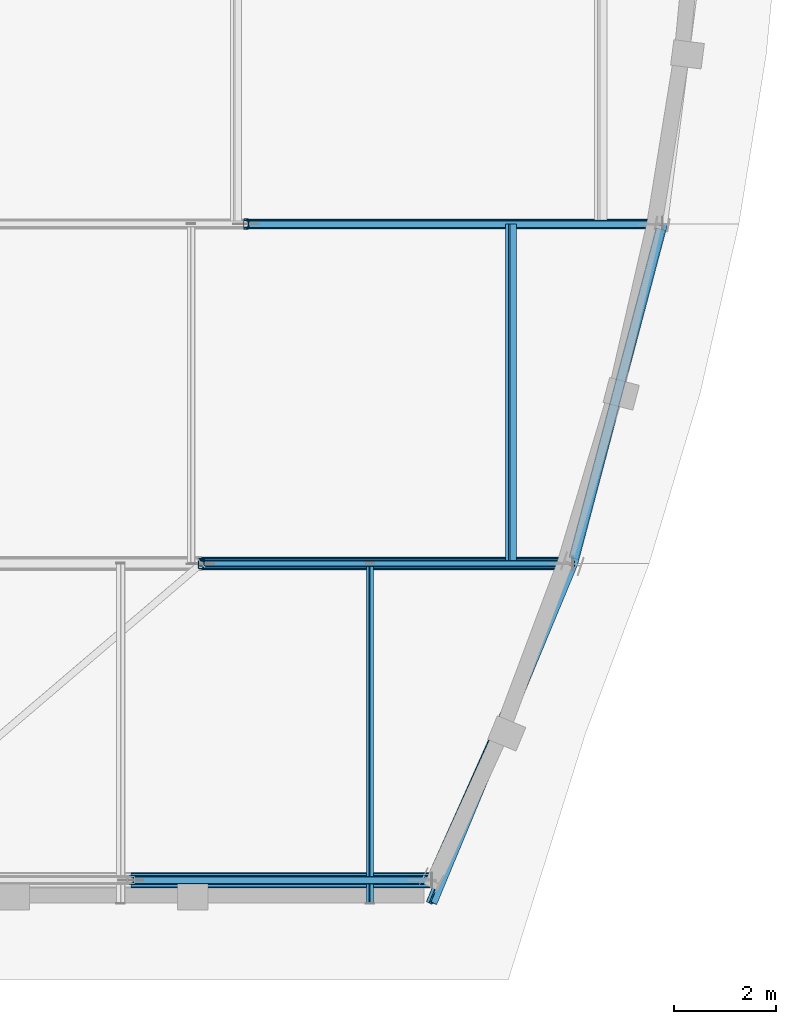
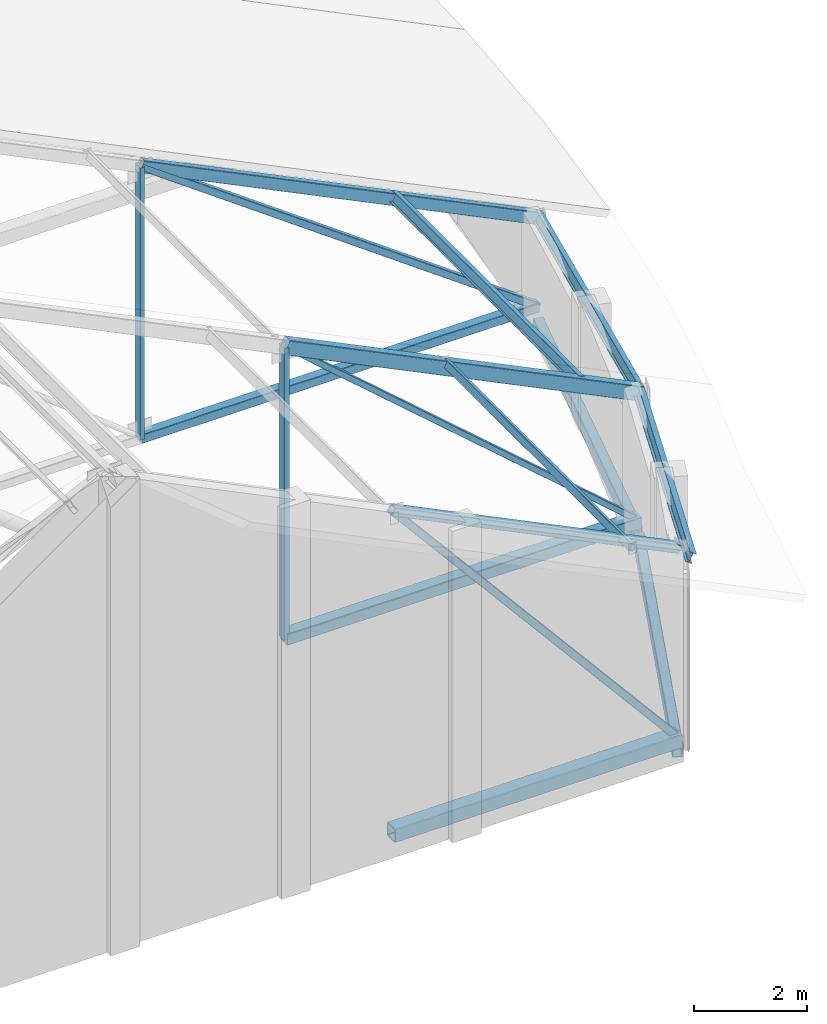
# One storey, part 29 of 78: 15 members, 2 beams.
"""IFC4 building model written with IfcOpenShell, lengths in metres."""

from ifc_helpers import new_model, si_unit, direction, frame, origin, origin_2d, place, context, subcontext, project, spatial, hollow_rectangle, i_section, extrude, material, material_profile, profile_set, type_object, element, save


model = new_model("IFC4")

# Units and contexts
model_context = context("Model", 3, precision=1e-05, world=origin(), true_north=direction((0.0, 1.0)))
body_context = subcontext(model_context, "Body", "Model", "MODEL_VIEW")
ifc_project = project(units=[si_unit("LENGTHUNIT", "METRE"), si_unit("AREAUNIT", "SQUARE_METRE"), si_unit("VOLUMEUNIT", "CUBIC_METRE"), si_unit("PLANEANGLEUNIT", "RADIAN"), si_unit("MASSUNIT", "GRAM", prefix="KILO")], contexts=[model_context])

# Site, building, storey
site_placement = place(None, origin())
site = spatial("IfcSite", under=ifc_project, at=site_placement, CompositionType="ELEMENT")
building_placement = place(site_placement, origin())
building = spatial("IfcBuilding", under=site, at=building_placement, Name="Kelanivale Promenade Academy", CompositionType="ELEMENT")
storey_placement = place(building_placement, frame((0.0, 0.0, 16.199951171875)))
storey = spatial("IfcBuildingStorey", under=building, at=storey_placement, Name="L04", CompositionType="ELEMENT", Elevation=16.199951171875)

# Members
ifc_material = material(Name="Steel S355", Category="steel")
ifc_material_profile_1 = material_profile(ifc_material, i_section(OverallWidth=0.13330078125, OverallDepth=0.203125, WebThickness=0.005615234375, FlangeThickness=0.0078125, FilletRadius=0.007568359375, at=origin_2d()), Name="UB 203x133x25")
ifc_profile_set_1 = profile_set([ifc_material_profile_1], Name="Steel S355")
member_type_1 = type_object("IfcMemberType", Name="PR-01 UB 203x133x25", PredefinedType="PURLIN", material=ifc_profile_set_1)
member_1_placement = place(storey_placement, frame((150.93798828125, 33.0, 4.35400390625), z_axis=(0.376761392739, 0.907865223257, -0.183933654727), x_axis=(-0.798995969758, 0.418973464595, 0.431354467087)))
element("IfcMember", 1, at=member_1_placement, inside=storey, type_object=member_type_1, Name="Assembly Hall Arc Pavilion roof tie purlin PR-01", PredefinedType="PURLIN", context=body_context, shape_type="SweptSolid", body=[
    extrude(i_section(OverallWidth=0.13330078125, OverallDepth=0.203125, WebThickness=0.005615234375, FlangeThickness=0.0078125, FilletRadius=0.007568359375, at=origin_2d()), origin(), (0.0, 0.0, 1.0), 7.3017578125),
])
member_2_placement = place(storey_placement, frame((153.68896484375, 39.62890625, 3.010986328125), z_axis=(0.25357441171, 0.959349457012, -0.123889616424), x_axis=(-0.8548366027, 0.28218473008, 0.435460860232)))
element("IfcMember", 2, at=member_2_placement, inside=storey, type_object=member_type_1, Name="Assembly Hall Arc Pavilion roof tie purlin PR-01", PredefinedType="PURLIN", context=body_context, shape_type="SweptSolid", body=[
    extrude(i_section(OverallWidth=0.13330078125, OverallDepth=0.203125, WebThickness=0.005615234375, FlangeThickness=0.0078125, FilletRadius=0.007568359375, at=origin_2d()), origin(), (0.0, 0.0, 1.0), 6.908935546875),
])
member_3_placement = place(storey_placement, frame((152.489013671875, 39.62890625, 3.614013671875), z_axis=(0.0, 1.0, 0.0), x_axis=(-0.898564392509, 0.0, 0.438841694139)))
element("IfcMember", 3, at=member_3_placement, inside=storey, type_object=member_type_1, Name="Assembly Hall Arc Pavilion roof purlin PR-01", PredefinedType="PURLIN", context=body_context, shape_type="SweptSolid", body=[
    extrude(i_section(OverallWidth=0.13330078125, OverallDepth=0.203125, WebThickness=0.005615234375, FlangeThickness=0.0078125, FilletRadius=0.007568359375, at=origin_2d()), origin(), (0.0, 0.0, 1.0), 6.628173828125),
])
ifc_material_profile_2 = material_profile(ifc_material, hollow_rectangle(XDim=0.10009765625, YDim=0.14990234375, WallThickness=0.008056640625, InnerFilletRadius=0.008056640625, OuterFilletRadius=0.01611328125, at=origin_2d()), Name="RHS 150x100x8.0")
ifc_profile_set_2 = profile_set([ifc_material_profile_2], Name="Steel S355")
member_type_2 = type_object("IfcMemberType", Name="PR-04 RHS 150x100x8.0", PredefinedType="PURLIN", material=ifc_profile_set_2)
member_4_placement = place(storey_placement, frame((149.738037109375, 33.0, 4.988037109375), z_axis=(0.0, 1.0, 0.0), x_axis=(-0.898564392509, 0.0, 0.438841694139)))
element("IfcMember", 4, at=member_4_placement, inside=storey, type_object=member_type_2, Name="Assembly Hall Arc Pavilion roof purlin PR-04", PredefinedType="PURLIN", context=body_context, shape_type="SweptSolid", body=[
    extrude(hollow_rectangle(XDim=0.10009765625, YDim=0.14990234375, WallThickness=0.008056640625, InnerFilletRadius=0.008056640625, OuterFilletRadius=0.01611328125, at=origin_2d()), origin(), (0.0, 0.0, 1.0), 6.62890625),
])

# Beams
ifc_material_profile_3 = material_profile(ifc_material, hollow_rectangle(XDim=0.199951171875, YDim=0.300048828125, WallThickness=0.012451171875, InnerFilletRadius=0.012451171875, OuterFilletRadius=0.02490234375, at=origin_2d()), Name="RHS 300x200x12.5")
ifc_profile_set_3 = profile_set([ifc_material_profile_3], Name="Steel S355")
beam_type = type_object("IfcBeamType", Name="SB-14 RHS 300x200x12.5", PredefinedType="SPANDREL", material=ifc_profile_set_3)
beam_1_placement = place(storey_placement, frame((150.97900390625, 33.541015625, -0.14990234375), z_axis=(0.406593934051, 0.913608982439, 0.0), x_axis=(-0.913608982439, 0.406593934051, 0.0)))
element("IfcBeam", 5, at=beam_1_placement, inside=storey, type_object=beam_type, Name="Assembly Hall Arc Pavilion curved ring beam SB-14", PredefinedType="SPANDREL", context=body_context, shape_type="SweptSolid", body=[
    extrude(hollow_rectangle(XDim=0.199951171875, YDim=0.300048828125, WallThickness=0.012451171875, InnerFilletRadius=0.012451171875, OuterFilletRadius=0.02490234375, at=origin_2d()), origin(), (0.0, 0.0, 1.0), 6.564208984375),
])
beam_2_placement = place(storey_placement, frame((153.715087890625, 39.72607421875, -0.14990234375), z_axis=(0.255453887547, 0.966821240632, 0.0), x_axis=(-0.966821240632, 0.255453887547, 0.0)))
element("IfcBeam", 6, at=beam_2_placement, inside=storey, type_object=beam_type, Name="Assembly Hall Arc Pavilion curved ring beam SB-14", PredefinedType="SPANDREL", context=body_context, shape_type="SweptSolid", body=[
    extrude(hollow_rectangle(XDim=0.199951171875, YDim=0.300048828125, WallThickness=0.012451171875, InnerFilletRadius=0.012451171875, OuterFilletRadius=0.02490234375, at=origin_2d()), origin(), (0.0, 0.0, 1.0), 6.654541015625),
])

# Members
ifc_material_profile_4 = material_profile(ifc_material, hollow_rectangle(XDim=0.300048828125, YDim=0.300048828125, WallThickness=0.01611328125, InnerFilletRadius=0.01611328125, OuterFilletRadius=0.031982421875, at=origin_2d()), Name="SHS 300x300x16.0")
ifc_profile_set_4 = profile_set([ifc_material_profile_4], Name="Steel S355")
member_type_3 = type_object("IfcMemberType", Name="TC-01 SHS 300x300x16.0", PredefinedType="CHORD", material=ifc_profile_set_4)
member_5_placement = place(storey_placement, frame((145.069091796875, 33.449951171875, 0.199951171875), z_axis=(1.0, 0.0, 0.0), x_axis=(0.0, 1.0, 0.0)))
element("IfcMember", 7, at=member_5_placement, inside=storey, type_object=member_type_3, Name="ROOF TRUSS AH-TR1 bottom chord 4", PredefinedType="CHORD", context=body_context, shape_type="SweptSolid", body=[
    extrude(hollow_rectangle(XDim=0.300048828125, YDim=0.300048828125, WallThickness=0.01611328125, InnerFilletRadius=0.01611328125, OuterFilletRadius=0.031982421875, at=origin_2d()), origin(), (0.0, 0.0, 1.0), 5.868896484375),
])
ifc_material_profile_5 = material_profile(ifc_material, hollow_rectangle(XDim=0.25, YDim=0.25, WallThickness=0.012451171875, InnerFilletRadius=0.012451171875, OuterFilletRadius=0.02490234375, at=origin_2d()), Name="SHS 250x250x12.5")
ifc_profile_set_5 = profile_set([ifc_material_profile_5], Name="Steel S355")
member_type_4 = type_object("IfcMemberType", Name="TC-02 SHS 250x250x12.5", PredefinedType="CHORD", material=ifc_profile_set_5)
member_6_placement = place(storey_placement, frame((146.445068359375, 39.62890625, 0.199951171875), z_axis=(1.0, 0.0, 0.0), x_axis=(0.0, 1.0, 0.0)))
element("IfcMember", 8, at=member_6_placement, inside=storey, type_object=member_type_4, Name="ROOF TRUSS AH-TR2 bottom chord 4", PredefinedType="CHORD", context=body_context, shape_type="SweptSolid", body=[
    extrude(hollow_rectangle(XDim=0.25, YDim=0.25, WallThickness=0.012451171875, InnerFilletRadius=0.012451171875, OuterFilletRadius=0.02490234375, at=origin_2d()), origin(), (0.0, 0.0, 1.0), 7.243896484375),
])
ifc_material_profile_6 = material_profile(ifc_material, hollow_rectangle(XDim=0.199951171875, YDim=0.199951171875, WallThickness=0.012451171875, InnerFilletRadius=0.012451171875, OuterFilletRadius=0.02490234375, at=origin_2d()), Name="SHS 200x200x12.5")
ifc_profile_set_6 = profile_set([ifc_material_profile_6], Name="Steel S355")
member_type_5 = type_object("IfcMemberType", Name="TC-03 SHS 200x200x12.5", PredefinedType="CHORD", material=ifc_profile_set_6)
member_7_placement = place(storey_placement, frame((147.320068359375, 46.257080078125, 0.199951171875), z_axis=(1.0, 0.0, 0.0), x_axis=(0.0, 1.0, 0.0)))
element("IfcMember", 9, at=member_7_placement, inside=storey, type_object=member_type_5, Name="ROOF TRUSS AH-TR3 bottom chord 4", PredefinedType="CHORD", context=body_context, shape_type="SweptSolid", body=[
    extrude(hollow_rectangle(XDim=0.199951171875, YDim=0.199951171875, WallThickness=0.012451171875, InnerFilletRadius=0.012451171875, OuterFilletRadius=0.02490234375, at=origin_2d()), origin(), (0.0, 0.0, 1.0), 8.120849609375),
])
ifc_material_profile_7 = material_profile(ifc_material, hollow_rectangle(XDim=0.179931640625, YDim=0.179931640625, WallThickness=0.010009765625, InnerFilletRadius=0.010009765625, OuterFilletRadius=0.02001953125, at=origin_2d()), Name="SHS 180x180x10.0")
ifc_profile_set_7 = profile_set([ifc_material_profile_7], Name="Steel S355")
member_type_6 = type_object("IfcMemberType", Name="TC-04 SHS 180x180x10.0", PredefinedType="CHORD", material=ifc_profile_set_7)
member_8_placement = place(storey_placement, frame((145.069091796875, 33.449951171875, 7.176025390625), z_axis=(0.898522951892, 0.0, -0.438926537047), x_axis=(0.0, 1.0, 0.0)))
element("IfcMember", 10, at=member_8_placement, inside=storey, type_object=member_type_6, Name="ROOF TRUSS AH-TR1 top chord 4", PredefinedType="CHORD", context=body_context, shape_type="SweptSolid", body=[
    extrude(hollow_rectangle(XDim=0.179931640625, YDim=0.179931640625, WallThickness=0.010009765625, InnerFilletRadius=0.010009765625, OuterFilletRadius=0.02001953125, at=origin_2d()), origin(), (0.0, 0.0, 1.0), 6.53173828125),
])
ifc_material_profile_8 = material_profile(ifc_material, hollow_rectangle(XDim=0.199951171875, YDim=0.300048828125, WallThickness=0.012451171875, InnerFilletRadius=0.012451171875, OuterFilletRadius=0.02490234375, at=origin_2d()), Name="RHS 300x200x12.5")
ifc_profile_set_8 = profile_set([ifc_material_profile_8], Name="Steel S355")
member_type_7 = type_object("IfcMemberType", Name="TC-05 RHS 300x200x12.5", PredefinedType="CHORD", material=ifc_profile_set_8)
member_9_placement = place(storey_placement, frame((146.445068359375, 39.62890625, 6.504150390625), z_axis=(0.898549463989, 0.0, -0.438872260191), x_axis=(0.0, 1.0, 0.0)))
element("IfcMember", 11, at=member_9_placement, inside=storey, type_object=member_type_7, Name="ROOF TRUSS AH-TR2 top chord 4", PredefinedType="CHORD", context=body_context, shape_type="SweptSolid", body=[
    extrude(hollow_rectangle(XDim=0.199951171875, YDim=0.300048828125, WallThickness=0.012451171875, InnerFilletRadius=0.012451171875, OuterFilletRadius=0.02490234375, at=origin_2d()), origin(), (0.0, 0.0, 1.0), 8.061767578125),
])
ifc_material_profile_9 = material_profile(ifc_material, hollow_rectangle(XDim=0.14990234375, YDim=0.25, WallThickness=0.010009765625, InnerFilletRadius=0.010009765625, OuterFilletRadius=0.02001953125, at=origin_2d()), Name="RHS 250x150x10.0")
ifc_profile_set_9 = profile_set([ifc_material_profile_9], Name="Steel S355")
member_type_8 = type_object("IfcMemberType", Name="TC-06 RHS 250x150x10.0", PredefinedType="CHORD", material=ifc_profile_set_9)
member_10_placement = place(storey_placement, frame((147.320068359375, 46.257080078125, 6.075927734375), z_axis=(0.898575195447, 0.0, -0.438819573546), x_axis=(0.0, 1.0, 0.0)))
element("IfcMember", 12, at=member_10_placement, inside=storey, type_object=member_type_8, Name="ROOF TRUSS AH-TR3 top chord 4", PredefinedType="CHORD", context=body_context, shape_type="SweptSolid", body=[
    extrude(hollow_rectangle(XDim=0.14990234375, YDim=0.25, WallThickness=0.010009765625, InnerFilletRadius=0.010009765625, OuterFilletRadius=0.02001953125, at=origin_2d()), origin(), (0.0, 0.0, 1.0), 9.037353515625),
])
ifc_material_profile_10 = material_profile(ifc_material, hollow_rectangle(XDim=0.14990234375, YDim=0.14990234375, WallThickness=0.010009765625, InnerFilletRadius=0.010009765625, OuterFilletRadius=0.02001953125, at=origin_2d()), Name="SHS 150x150x10.0")
ifc_profile_set_10 = profile_set([ifc_material_profile_10], Name="Steel S355")
member_type_9 = type_object("IfcMemberType", Name="TD-01 SHS 150x150x10.0", PredefinedType="BRACE", material=ifc_profile_set_10)
member_11_placement = place(storey_placement, frame((150.93798828125, 33.449951171875, 0.199951171875), z_axis=(-0.643770341143, 0.0, 0.765218758177), x_axis=(0.0, -1.0, 0.0)))
element("IfcMember", 13, at=member_11_placement, inside=storey, type_object=member_type_9, Name="ROOF TRUSS AH-TR1 web diagonal 4", PredefinedType="BRACE", context=body_context, shape_type="SweptSolid", body=[
    extrude(hollow_rectangle(XDim=0.14990234375, YDim=0.14990234375, WallThickness=0.010009765625, InnerFilletRadius=0.010009765625, OuterFilletRadius=0.02001953125, at=origin_2d()), origin(), (0.0, 0.0, 1.0), 9.116455078125),
])
member_12_placement = place(storey_placement, frame((155.44091796875, 46.257080078125, 0.199951171875), z_axis=(-0.810161897842, 0.0, 0.586206191783), x_axis=(0.0, -1.0, 0.0)))
element("IfcMember", 14, at=member_12_placement, inside=storey, type_object=member_type_9, Name="ROOF TRUSS AH-TR3 web diagonal 4", PredefinedType="BRACE", context=body_context, shape_type="SweptSolid", body=[
    extrude(hollow_rectangle(XDim=0.14990234375, YDim=0.14990234375, WallThickness=0.010009765625, InnerFilletRadius=0.010009765625, OuterFilletRadius=0.02001953125, at=origin_2d()), origin(), (0.0, 0.0, 1.0), 10.023681640625),
])
ifc_material_profile_11 = material_profile(ifc_material, hollow_rectangle(XDim=0.1201171875, YDim=0.1201171875, WallThickness=0.008056640625, InnerFilletRadius=0.008056640625, OuterFilletRadius=0.01611328125, at=origin_2d()), Name="SHS 120x120x8.0")
ifc_profile_set_11 = profile_set([ifc_material_profile_11], Name="Steel S355")
member_type_10 = type_object("IfcMemberType", Name="TD-02 SHS 120x120x8.0", PredefinedType="BRACE", material=ifc_profile_set_11)
member_13_placement = place(storey_placement, frame((153.68896484375, 39.62890625, 0.199951171875), z_axis=(-0.754339457982, 0.0, 0.656484563514), x_axis=(0.0, -1.0, 0.0)))
element("IfcMember", 15, at=member_13_placement, inside=storey, type_object=member_type_10, Name="ROOF TRUSS AH-TR2 web diagonal 4", PredefinedType="BRACE", context=body_context, shape_type="SweptSolid", body=[
    extrude(hollow_rectangle(XDim=0.1201171875, YDim=0.1201171875, WallThickness=0.008056640625, InnerFilletRadius=0.008056640625, OuterFilletRadius=0.01611328125, at=origin_2d()), origin(), (0.0, 0.0, 1.0), 9.60302734375),
])
ifc_material_profile_12 = material_profile(ifc_material, hollow_rectangle(XDim=0.1201171875, YDim=0.199951171875, WallThickness=0.010009765625, InnerFilletRadius=0.010009765625, OuterFilletRadius=0.02001953125, at=origin_2d()), Name="RHS 200x120x10.0")
ifc_profile_set_12 = profile_set([ifc_material_profile_12], Name="Steel S355")
member_type_11 = type_object("IfcMemberType", Name="TV-01 RHS 200x120x10.0", PredefinedType="STRUT", material=ifc_profile_set_12)
member_14_placement = place(storey_placement, frame((146.445068359375, 39.62890625, 0.199951171875), z_axis=(0.0, 0.0, 1.0), x_axis=(1.0, 0.0, 0.0)))
element("IfcMember", 16, at=member_14_placement, inside=storey, type_object=member_type_11, Name="ROOF TRUSS AH-TR2 vertical strut 3", PredefinedType="STRUT", context=body_context, shape_type="SweptSolid", body=[
    extrude(hollow_rectangle(XDim=0.1201171875, YDim=0.199951171875, WallThickness=0.010009765625, InnerFilletRadius=0.010009765625, OuterFilletRadius=0.02001953125, at=origin_2d()), origin(), (0.0, 0.0, 1.0), 6.30419921875),
])
ifc_material_profile_13 = material_profile(ifc_material, hollow_rectangle(XDim=0.10009765625, YDim=0.199951171875, WallThickness=0.008056640625, InnerFilletRadius=0.008056640625, OuterFilletRadius=0.01611328125, at=origin_2d()), Name="RHS 200x100x8.0")
ifc_profile_set_13 = profile_set([ifc_material_profile_13], Name="Steel S355")
member_type_12 = type_object("IfcMemberType", Name="TV-02 RHS 200x100x8.0", PredefinedType="STRUT", material=ifc_profile_set_13)
member_15_placement = place(storey_placement, frame((147.320068359375, 46.257080078125, 0.199951171875), z_axis=(0.0, 0.0, 1.0), x_axis=(1.0, 0.0, 0.0)))
element("IfcMember", 17, at=member_15_placement, inside=storey, type_object=member_type_12, Name="ROOF TRUSS AH-TR3 vertical strut 3", PredefinedType="STRUT", context=body_context, shape_type="SweptSolid", body=[
    extrude(hollow_rectangle(XDim=0.10009765625, YDim=0.199951171875, WallThickness=0.008056640625, InnerFilletRadius=0.008056640625, OuterFilletRadius=0.01611328125, at=origin_2d()), origin(), (0.0, 0.0, 1.0), 5.8759765625),
])

save(model, "model.ifc")
